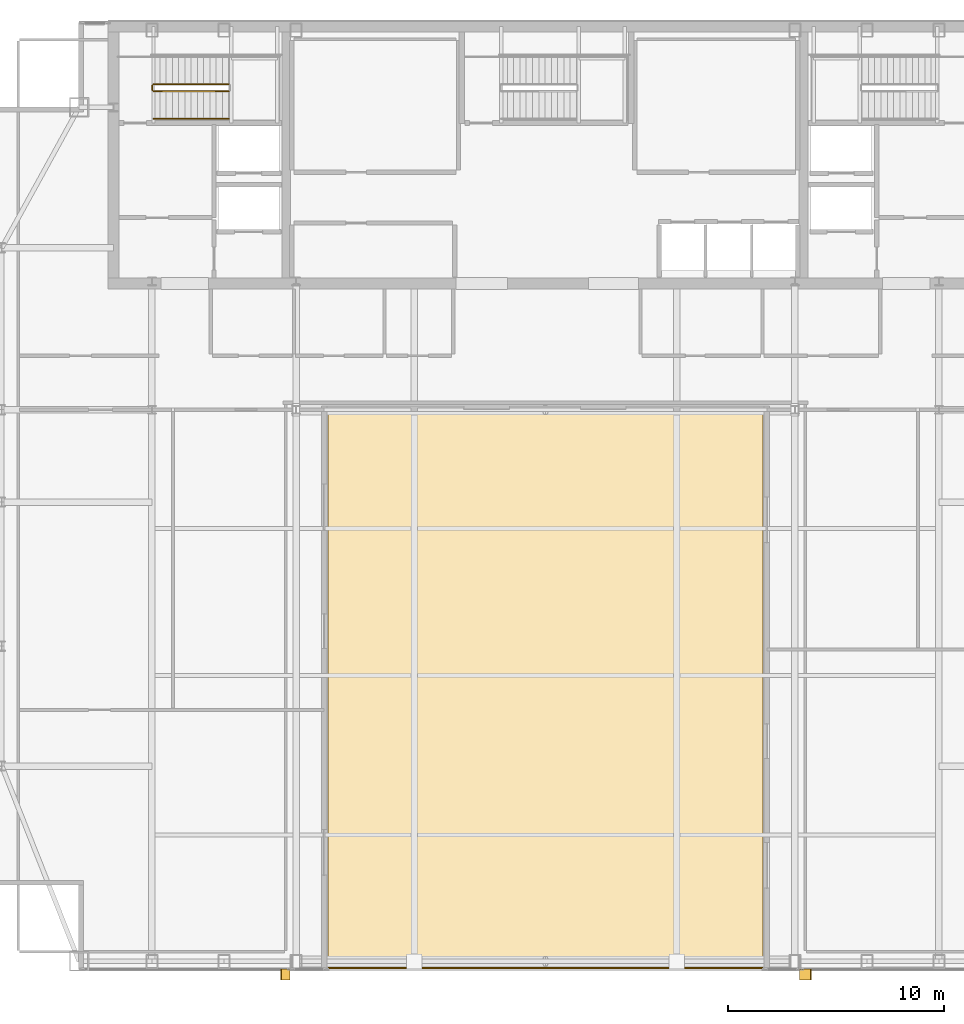
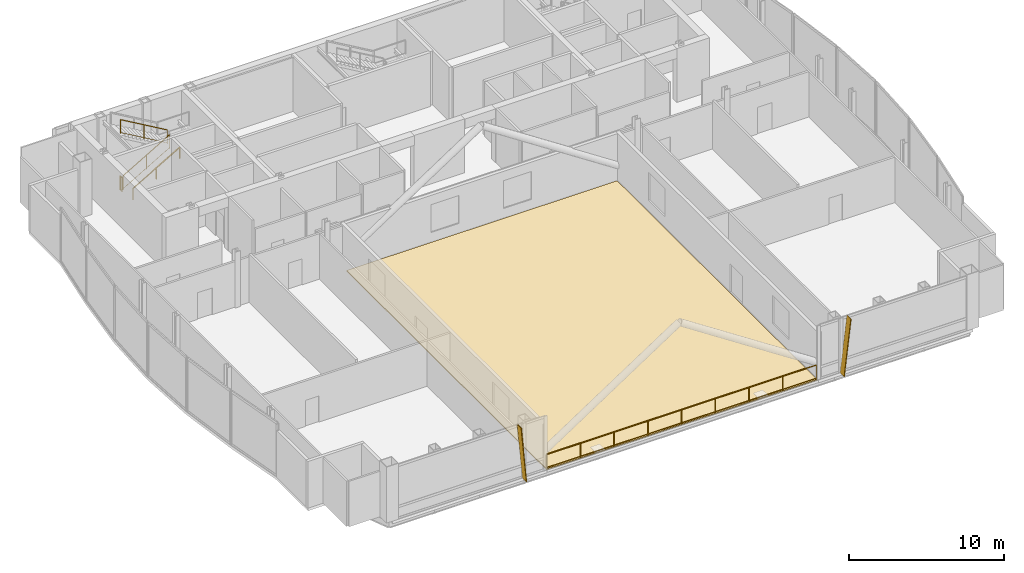
# One storey, part 26 of 27: 5 railings, 2 shading devices, 1 covering.
"""IFC4 building model written with IfcOpenShell, lengths in metres."""

from ifc_helpers import new_model, si_unit, direction, frame, origin, origin_2d, place, context, subcontext, project, spatial, polyline, rectangle, outline, extrude, material, layer, layer_set, type_object, element, save


model = new_model("IFC4")

# Units and contexts
model_context = context("Model", 3, precision=1e-05, world=origin(), true_north=direction((0.0, 1.0)))
body_context = subcontext(model_context, "Body", "Model", "MODEL_VIEW")
ifc_project = project(units=[si_unit("LENGTHUNIT", "METRE"), si_unit("AREAUNIT", "SQUARE_METRE"), si_unit("VOLUMEUNIT", "CUBIC_METRE"), si_unit("PLANEANGLEUNIT", "RADIAN"), si_unit("MASSUNIT", "GRAM", prefix="KILO")], contexts=[model_context])

# Site, building, storey
site_placement = place(None, origin())
site = spatial("IfcSite", under=ifc_project, at=site_placement, CompositionType="ELEMENT")
building_placement = place(site_placement, origin())
building = spatial("IfcBuilding", under=site, at=building_placement, Name="Khoronbel Lancet Exchange", CompositionType="ELEMENT")
storey_placement = place(building_placement, frame((0.0, 0.0, 305.800048828125)))
storey = spatial("IfcBuildingStorey", under=building, at=storey_placement, Name="L79", CompositionType="ELEMENT", Elevation=305.800048828125)

# Covering
ifc_material_1 = material(Name="Standing-Seam Bronze & SBS Waterproofing Assembly", Category="aluminium")
ifc_layer_1 = layer(ifc_material_1, 0.080078125, Name="Standing-Seam Bronze & SBS Waterproofing Assembly")
ifc_layer_set_1 = layer_set([ifc_layer_1], Name="Standing-Seam Bronze & SBS Waterproofing Assembly")
covering_type = type_object("IfcCoveringType", Name="COV-ROOF1", PredefinedType="ROOFING", material=ifc_layer_set_1)
covering_placement = place(storey_placement, frame((0.0, 0.0, -0.080078125)))
element("IfcCovering", 1, at=covering_placement, inside=storey, type_object=covering_type, Name="Level L79 wind-portal outdoor deck waterproofing and paving", PredefinedType="ROOFING", context=body_context, shape_type="SweptSolid", body=[
    extrude(outline(polyline([(26.375, 9.800048828125), (46.52490234375, 9.800048828125), (46.52490234375, 35.60009765625), (26.375, 35.60009765625), (26.375, 9.800048828125)])), origin(), (0.0, 0.0, 1.0), 0.080078125),
])

# Railings
ifc_material_2 = material(Name="Bronze-Anodised Stainless Steel", Category="steel")
railing_type_1 = type_object("IfcRailingType", Name="RL-EXT115", PredefinedType="GUARDRAIL", material=ifc_material_2)
railing_1_placement = place(storey_placement, frame((26.405029296875, 9.85009765625, 0.0)))
element("IfcRailing", 2, at=railing_1_placement, inside=storey, type_object=railing_type_1, Name="Level L79 wind-portal south drop edge guardrail", PredefinedType="GUARDRAIL", context=body_context, shape_type="SweptSolid", body=[
    extrude(rectangle(XDim=0.052001953125, YDim=0.052001953125, at=origin_2d()), frame((0.0, 0.0, 1.1240234375), z_axis=(1.0, 0.0, 0.0), x_axis=(0.0, 1.0, 0.0)), (0.0, 0.0, 1.0), 20.090087890625),
    extrude(rectangle(XDim=0.02587890625, YDim=0.02587890625, at=origin_2d()), frame((0.0, 0.0, 0.080078125), z_axis=(1.0, 0.0, 0.0), x_axis=(0.0, 1.0, 0.0)), (0.0, 0.0, 1.0), 20.090087890625),
    extrude(rectangle(XDim=0.0419921875, YDim=0.0419921875, at=origin_2d()), origin(), (0.0, 0.0, 1.0), 1.097900390625),
    extrude(rectangle(XDim=0.0419921875, YDim=0.0419921875, at=origin_2d()), frame((2.51123046875, 0.0, 0.0)), (0.0, 0.0, 1.0), 1.097900390625),
    extrude(rectangle(XDim=0.0419921875, YDim=0.0419921875, at=origin_2d()), frame((5.0224609375, 0.0, 0.0)), (0.0, 0.0, 1.0), 1.097900390625),
    extrude(rectangle(XDim=0.0419921875, YDim=0.0419921875, at=origin_2d()), frame((7.53369140625, 0.0, 0.0)), (0.0, 0.0, 1.0), 1.097900390625),
    extrude(rectangle(XDim=0.0419921875, YDim=0.0419921875, at=origin_2d()), frame((10.044921875, 0.0, 0.0)), (0.0, 0.0, 1.0), 1.097900390625),
    extrude(rectangle(XDim=0.0419921875, YDim=0.0419921875, at=origin_2d()), frame((12.556396484375, 0.0, 0.0)), (0.0, 0.0, 1.0), 1.097900390625),
    extrude(rectangle(XDim=0.0419921875, YDim=0.0419921875, at=origin_2d()), frame((15.067626953125, 0.0, 0.0)), (0.0, 0.0, 1.0), 1.097900390625),
    extrude(rectangle(XDim=0.0419921875, YDim=0.0419921875, at=origin_2d()), frame((17.578857421875, 0.0, 0.0)), (0.0, 0.0, 1.0), 1.097900390625),
    extrude(rectangle(XDim=0.0419921875, YDim=0.0419921875, at=origin_2d()), frame((20.090087890625, 0.0, 0.0)), (0.0, 0.0, 1.0), 1.097900390625),
])
ifc_material_3 = material(Name="Painted Steel Balustrade", Category="steel")
railing_type_2 = type_object("IfcRailingType", Name="RL-STG110", PredefinedType="GUARDRAIL", material=ifc_material_3)
railing_2_placement = place(storey_placement, frame((18.300048828125, 50.449951171875, 0.169189453125)))
element("IfcRailing", 3, at=railing_2_placement, inside=storey, type_object=railing_type_2, Name="L79 ST1 stair guard 1", PredefinedType="GUARDRAIL", context=body_context, shape_type="SweptSolid", body=[
    extrude(rectangle(XDim=0.048095703125, YDim=0.048095703125, at=origin_2d()), frame((0.0, 0.0, 1.09619140625), z_axis=(0.863695377172, 0.0, 0.504014181796), x_axis=(0.0, 1.0, 0.0)), (0.0, 0.0, 1.0), 4.029296875),
    extrude(rectangle(XDim=0.02392578125, YDim=0.02392578125, at=origin_2d()), frame((0.0, 0.0, 0.080078125), z_axis=(0.863695377172, 0.0, 0.504014181796), x_axis=(0.0, 1.0, 0.0)), (0.0, 0.0, 1.0), 4.029296875),
    extrude(rectangle(XDim=0.0419921875, YDim=0.0419921875, at=origin_2d()), origin(), (0.0, 0.0, 1.0), 1.072021484375),
    extrude(rectangle(XDim=0.0419921875, YDim=0.0419921875, at=origin_2d()), frame((1.739990234375, 0.0, 1.015380859375)), (0.0, 0.0, 1.0), 1.072021484375),
    extrude(rectangle(XDim=0.0419921875, YDim=0.0419921875, at=origin_2d()), frame((3.47998046875, 0.0, 2.03076171875)), (0.0, 0.0, 1.0), 1.072021484375),
])
railing_3_placement = place(storey_placement, frame((21.780029296875, 50.77001953125, 2.369140625)))
element("IfcRailing", 4, at=railing_3_placement, inside=storey, type_object=railing_type_2, Name="L79 ST1 stair guard 4", PredefinedType="GUARDRAIL", context=body_context, shape_type="SweptSolid", body=[
    extrude(rectangle(XDim=0.048095703125, YDim=0.048095703125, at=origin_2d()), frame((0.0, 0.0, 1.09619140625), z_axis=(-0.863695377172, 0.0, 0.504014181796), x_axis=(0.0, -1.0, 0.0)), (0.0, 0.0, 1.0), 4.029296875),
    extrude(rectangle(XDim=0.02392578125, YDim=0.02392578125, at=origin_2d()), frame((0.0, 0.0, 0.080078125), z_axis=(-0.863695377172, 0.0, 0.504014181796), x_axis=(0.0, -1.0, 0.0)), (0.0, 0.0, 1.0), 4.029296875),
    extrude(rectangle(XDim=0.0419921875, YDim=0.0419921875, at=origin_2d()), origin(), (0.0, 0.0, 1.0), 1.072021484375),
    extrude(rectangle(XDim=0.0419921875, YDim=0.0419921875, at=origin_2d()), frame((-1.739990234375, 0.0, 1.015380859375)), (0.0, 0.0, 1.0), 1.072021484375),
    extrude(rectangle(XDim=0.0419921875, YDim=0.0419921875, at=origin_2d()), frame((-3.47998046875, 0.0, 2.03076171875)), (0.0, 0.0, 1.0), 1.072021484375),
])
railing_4_placement = place(storey_placement, frame((18.25, 50.5, 0.0)))
element("IfcRailing", 5, at=railing_4_placement, inside=storey, type_object=railing_type_2, Name="L79 ST1 stair guard 5", PredefinedType="GUARDRAIL", context=body_context, shape_type="SweptSolid", body=[
    extrude(rectangle(XDim=0.048095703125, YDim=0.048095703125, at=origin_2d()), frame((0.0, 0.0, 1.09619140625), z_axis=(0.0, 1.0, 0.0), x_axis=(-1.0, 0.0, 0.0)), (0.0, 0.0, 1.0), 0.219970703125),
    extrude(rectangle(XDim=0.02392578125, YDim=0.02392578125, at=origin_2d()), frame((0.0, 0.0, 0.080078125), z_axis=(0.0, 1.0, 0.0), x_axis=(-1.0, 0.0, 0.0)), (0.0, 0.0, 1.0), 0.219970703125),
    extrude(rectangle(XDim=0.0419921875, YDim=0.0419921875, at=origin_2d()), origin(), (0.0, 0.0, 1.0), 1.072021484375),
    extrude(rectangle(XDim=0.0419921875, YDim=0.0419921875, at=origin_2d()), frame((0.0, 0.219970703125, 0.0)), (0.0, 0.0, 1.0), 1.072021484375),
])
ifc_material_4 = material(Name="Brushed Stainless Steel 316", Category="steel")
railing_type_3 = type_object("IfcRailingType", Name="RL-STH92", PredefinedType="HANDRAIL", material=ifc_material_4)
railing_5_placement = place(storey_placement, frame((18.300048828125, 49.169921875, 0.169189453125)))
element("IfcRailing", 6, at=railing_5_placement, inside=storey, type_object=railing_type_3, Name="L79 ST1 stair handrail 1", PredefinedType="HANDRAIL", context=body_context, shape_type="SweptSolid", body=[
    extrude(rectangle(XDim=0.048095703125, YDim=0.048095703125, at=origin_2d()), frame((0.0, 0.0, 0.8759765625), z_axis=(0.863695377172, 0.0, 0.504014181796), x_axis=(0.0, 1.0, 0.0)), (0.0, 0.0, 1.0), 4.029296875),
    extrude(rectangle(XDim=0.0419921875, YDim=0.0419921875, at=origin_2d()), origin(), (0.0, 0.0, 1.0), 0.851806640625),
    extrude(rectangle(XDim=0.0419921875, YDim=0.0419921875, at=origin_2d()), frame((1.739990234375, 0.0, 1.015380859375)), (0.0, 0.0, 1.0), 0.851806640625),
    extrude(rectangle(XDim=0.0419921875, YDim=0.0419921875, at=origin_2d()), frame((3.47998046875, 0.0, 2.03076171875)), (0.0, 0.0, 1.0), 0.851806640625),
])

# Shading devices
ifc_material_5 = material(Name="Bronze-Anodised Aluminium 6063-T6", Category="aluminium")
ifc_layer_2 = layer(ifc_material_5, 0.054931640625, Name="Bronze-Anodised Aluminium 6063-T6")
ifc_layer_set_2 = layer_set([ifc_layer_2], Name="Bronze-Anodised Aluminium 6063-T6")
shading_device_type = type_object("IfcShadingDeviceType", Name="SHD-FIN1", PredefinedType="USERDEFINED", material=ifc_layer_set_2)
shading_device_1_placement = place(storey_placement, frame((24.62255859375, 9.81005859375, -0.080078125), z_axis=(0.995921042127, 0.0, 0.090229029966), x_axis=(0.0, -1.0, 0.0)))
element("IfcShadingDevice", 7, at=shading_device_1_placement, inside=storey, type_object=shading_device_type, Name="Slanted bronze solar fin CW-L79-SW-WING-1", ObjectType="FIN", PredefinedType="USERDEFINED", context=body_context, shape_type="SweptSolid", body=[
    extrude(outline(polyline([(0.0, 0.0), (0.52001953125, 0.0), (0.52001953125, -4.3779296875), (0.0, -4.3779296875), (0.0, 0.0)])), origin(), (0.0, 0.0, -1.0), 0.054931640625),
])
shading_device_2_placement = place(storey_placement, frame((48.222412109375, 9.81005859375, -0.080078125), z_axis=(-0.99335596889, 0.0, 0.115082227428), x_axis=(0.0, -1.0, 0.0)))
element("IfcShadingDevice", 8, at=shading_device_2_placement, inside=storey, type_object=shading_device_type, Name="Slanted bronze solar fin CW-L79-SE-WING-0", ObjectType="FIN", PredefinedType="USERDEFINED", context=body_context, shape_type="SweptSolid", body=[
    extrude(outline(polyline([(0.0, 0.0), (0.52001953125, 0.0), (0.52001953125, 4.38916015625), (0.0, 4.38916015625), (0.0, 0.0)])), origin(), (0.0, 0.0, -1.0), 0.054931640625),
])

save(model, "model.ifc")
